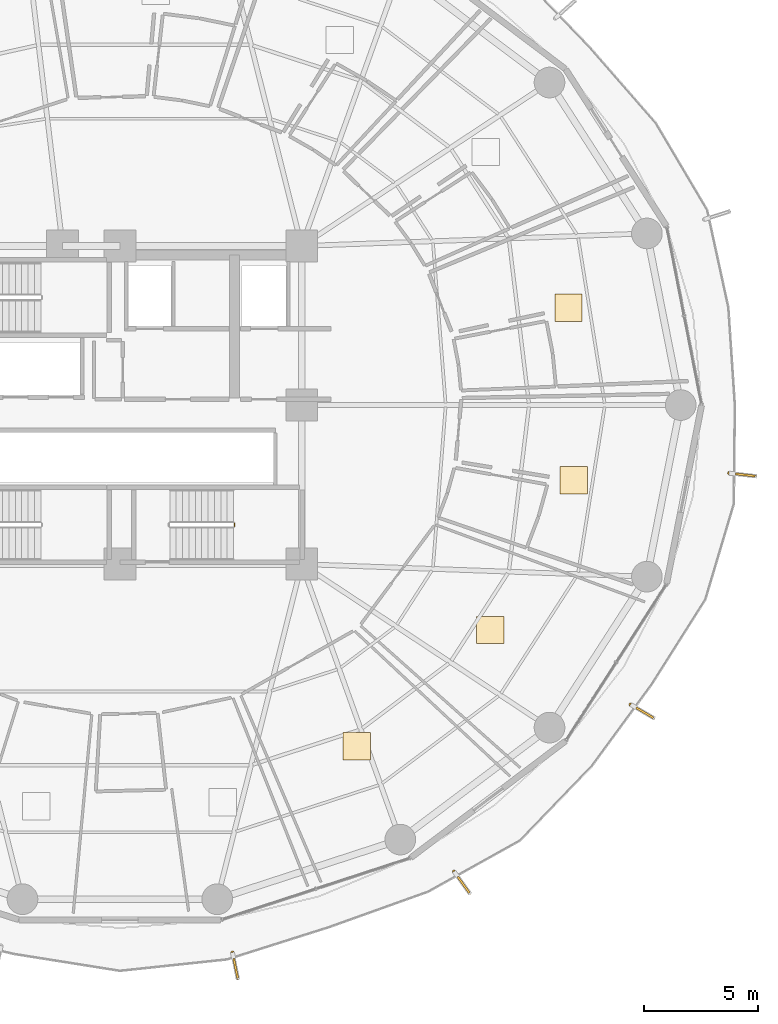
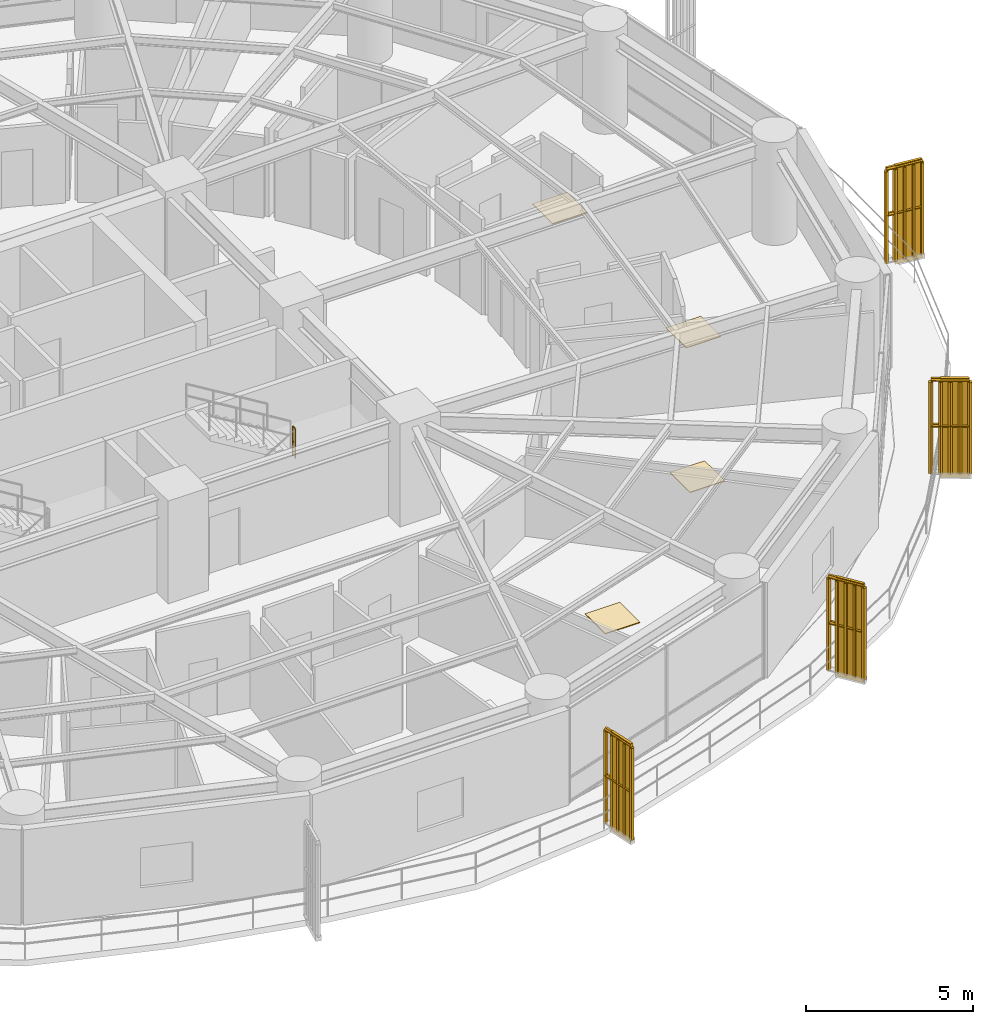
# One storey, part 34 of 35: 5 railings, 4 coverings, 4 shading devices.
"""IFC4 building model written with IfcOpenShell, lengths in metres."""

from ifc_helpers import new_model, si_unit, direction, frame, origin, origin_2d, place, context, subcontext, project, spatial, polyline, rectangle, outline, extrude, source, transform, mapped, material, layer, layer_set, type_object, element, save


model = new_model("IFC4")

# Units and contexts
model_context = context("Model", 3, precision=1e-05, world=origin(), true_north=direction((0.0, 1.0)))
body_context = subcontext(model_context, "Body", "Model", "MODEL_VIEW")
ifc_project = project(units=[si_unit("LENGTHUNIT", "METRE"), si_unit("AREAUNIT", "SQUARE_METRE"), si_unit("VOLUMEUNIT", "CUBIC_METRE"), si_unit("PLANEANGLEUNIT", "RADIAN"), si_unit("MASSUNIT", "GRAM", prefix="KILO")], contexts=[model_context])

# Site, building, storey
site_placement = place(None, origin())
site = spatial("IfcSite", under=ifc_project, at=site_placement, CompositionType="ELEMENT")
building_placement = place(site_placement, origin())
building = spatial("IfcBuilding", under=site, at=building_placement, Name="Kelanora Arch Commons", CompositionType="ELEMENT")
storey_placement = place(building_placement, frame((0.0, 0.0, 95.10009765625)))
storey = spatial("IfcBuildingStorey", under=building, at=storey_placement, Name="L24", CompositionType="ELEMENT", Elevation=95.10009765625)

# Railings
ifc_material_1 = material(Name="Anodised bronze vertical shading fin rib assembly")
railing_type_1 = type_object("IfcRailingType", Name="RAIL-FIN-BRZ", PredefinedType="BALUSTRADE", material=ifc_material_1)
railing_1_placement = place(storey_placement, frame((78.952880859375, 33.914306640625, -0.02001953125)))
element("IfcRailing", 1, at=railing_1_placement, inside=storey, type_object=railing_type_1, Name="Sweeping Bronze Vertical Fin Blade L24-10", PredefinedType="BALUSTRADE", context=body_context, shape_type="SweptSolid", body=[
    extrude(outline(polyline([(0.06982421875, 0.0), (0.034912109375, 0.060546875), (-0.034912109375, 0.060546875), (-0.06982421875, 0.0), (-0.034912109375, -0.060546875), (0.034912109375, -0.060546875), (0.06982421875, 0.0)])), frame((0.0, 0.0, 3.419921875), z_axis=(0.201492685914, -0.979490019103, 0.0), x_axis=(0.979490019103, 0.201492685914, 0.0)), (0.0, 0.0, 1.0), 1.160888671875),
    extrude(outline(polyline([(0.06982421875, 0.0), (0.034912109375, 0.060546875), (-0.034912109375, 0.060546875), (-0.06982421875, 0.0), (-0.034912109375, -0.060546875), (0.034912109375, -0.060546875), (0.06982421875, 0.0)])), frame((0.0, 0.0, 1.7451171875), z_axis=(0.201492685914, -0.979490019103, 0.0), x_axis=(0.979490019103, 0.201492685914, 0.0)), (0.0, 0.0, 1.0), 1.160888671875),
    extrude(outline(polyline([(0.080078125, 0.0), (0.0400390625, 0.0693359375), (-0.0400390625, 0.0693359375), (-0.080078125, 0.0), (-0.0400390625, -0.0693359375), (0.0400390625, -0.0693359375), (0.080078125, 0.0)])), origin(), (0.0, 0.0, 1.0), 3.35009765625),
    extrude(outline(polyline([(0.080078125, 0.0), (0.0400390625, 0.0693359375), (-0.0400390625, 0.0693359375), (-0.080078125, 0.0), (-0.0400390625, -0.0693359375), (0.0400390625, -0.0693359375), (0.080078125, 0.0)])), frame((0.05859375, -0.2841796875, 0.0)), (0.0, 0.0, 1.0), 3.35009765625),
    extrude(outline(polyline([(0.080078125, 0.0), (0.0400390625, 0.0693359375), (-0.0400390625, 0.0693359375), (-0.080078125, 0.0), (-0.0400390625, -0.0693359375), (0.0400390625, -0.0693359375), (0.080078125, 0.0)])), frame((0.116943359375, -0.568359375, 0.0)), (0.0, 0.0, 1.0), 3.35009765625),
    extrude(outline(polyline([(0.080078125, 0.0), (0.0400390625, 0.0693359375), (-0.0400390625, 0.0693359375), (-0.080078125, 0.0), (-0.0400390625, -0.0693359375), (0.0400390625, -0.0693359375), (0.080078125, 0.0)])), frame((0.17529296875, -0.852783203125, 0.0)), (0.0, 0.0, 1.0), 3.35009765625),
    extrude(outline(polyline([(0.080078125, 0.0), (0.0400390625, 0.0693359375), (-0.0400390625, 0.0693359375), (-0.080078125, 0.0), (-0.0400390625, -0.0693359375), (0.0400390625, -0.0693359375), (0.080078125, 0.0)])), frame((0.23388671875, -1.136962890625, 0.0)), (0.0, 0.0, 1.0), 3.35009765625),
])
railing_2_placement = place(storey_placement, frame((88.7041015625, 37.4765625, -0.02001953125)))
element("IfcRailing", 2, at=railing_2_placement, inside=storey, type_object=railing_type_1, Name="Sweeping Bronze Vertical Fin Blade L24-11", PredefinedType="BALUSTRADE", context=body_context, shape_type="SweptSolid", body=[
    extrude(outline(polyline([(0.06982421875, 0.0), (0.034912109375, 0.060546875), (-0.034912109375, 0.060546875), (-0.06982421875, 0.0), (-0.034912109375, -0.060546875), (0.034912109375, -0.060546875), (0.06982421875, 0.0)])), frame((0.0, 0.0, 3.419921875), z_axis=(0.582530519631, -0.812808829737, 0.0), x_axis=(0.812808829737, 0.582530519631, 0.0)), (0.0, 0.0, 1.0), 1.160888671875),
    extrude(outline(polyline([(0.06982421875, 0.0), (0.034912109375, 0.060546875), (-0.034912109375, 0.060546875), (-0.06982421875, 0.0), (-0.034912109375, -0.060546875), (0.034912109375, -0.060546875), (0.06982421875, 0.0)])), frame((0.0, 0.0, 1.7451171875), z_axis=(0.582530519631, -0.812808829737, 0.0), x_axis=(0.812808829737, 0.582530519631, 0.0)), (0.0, 0.0, 1.0), 1.160888671875),
    extrude(outline(polyline([(0.080078125, 0.0), (0.0400390625, 0.0693359375), (-0.0400390625, 0.0693359375), (-0.080078125, 0.0), (-0.0400390625, -0.0693359375), (0.0400390625, -0.0693359375), (0.080078125, 0.0)])), origin(), (0.0, 0.0, 1.0), 3.35009765625),
    extrude(outline(polyline([(0.080078125, 0.0), (0.0400390625, 0.0693359375), (-0.0400390625, 0.0693359375), (-0.080078125, 0.0), (-0.0400390625, -0.0693359375), (0.0400390625, -0.0693359375), (0.080078125, 0.0)])), frame((0.1689453125, -0.23583984375, 0.0)), (0.0, 0.0, 1.0), 3.35009765625),
    extrude(outline(polyline([(0.080078125, 0.0), (0.0400390625, 0.0693359375), (-0.0400390625, 0.0693359375), (-0.080078125, 0.0), (-0.0400390625, -0.0693359375), (0.0400390625, -0.0693359375), (0.080078125, 0.0)])), frame((0.338134765625, -0.4716796875, 0.0)), (0.0, 0.0, 1.0), 3.35009765625),
    extrude(outline(polyline([(0.080078125, 0.0), (0.0400390625, 0.0693359375), (-0.0400390625, 0.0693359375), (-0.080078125, 0.0), (-0.0400390625, -0.0693359375), (0.0400390625, -0.0693359375), (0.080078125, 0.0)])), frame((0.50732421875, -0.707763671875, 0.0)), (0.0, 0.0, 1.0), 3.35009765625),
    extrude(outline(polyline([(0.080078125, 0.0), (0.0400390625, 0.0693359375), (-0.0400390625, 0.0693359375), (-0.080078125, 0.0), (-0.0400390625, -0.0693359375), (0.0400390625, -0.0693359375), (0.080078125, 0.0)])), frame((0.67626953125, -0.943603515625, 0.0)), (0.0, 0.0, 1.0), 3.35009765625),
])
railing_3_placement = place(storey_placement, frame((96.47509765625, 44.824462890625, -0.02001953125)))
element("IfcRailing", 3, at=railing_3_placement, inside=storey, type_object=railing_type_1, Name="Sweeping Bronze Vertical Fin Blade L24-12", PredefinedType="BALUSTRADE", context=body_context, shape_type="SweptSolid", body=[
    extrude(outline(polyline([(0.06982421875, 0.0), (0.034912109375, 0.060546875), (-0.034912109375, 0.060546875), (-0.06982421875, 0.0), (-0.034912109375, -0.060546875), (0.034912109375, -0.060546875), (0.06982421875, 0.0)])), frame((0.0, 0.0, 3.419921875), z_axis=(0.86266316569, -0.505778867256, 0.0), x_axis=(0.505778867256, 0.86266316569, 0.0)), (0.0, 0.0, 1.0), 1.160888671875),
    extrude(outline(polyline([(0.06982421875, 0.0), (0.034912109375, 0.060546875), (-0.034912109375, 0.060546875), (-0.06982421875, 0.0), (-0.034912109375, -0.060546875), (0.034912109375, -0.060546875), (0.06982421875, 0.0)])), frame((0.0, 0.0, 1.7451171875), z_axis=(0.86266316569, -0.505778867256, 0.0), x_axis=(0.505778867256, 0.86266316569, 0.0)), (0.0, 0.0, 1.0), 1.160888671875),
    extrude(outline(polyline([(0.080078125, 0.0), (0.0400390625, 0.0693359375), (-0.0400390625, 0.0693359375), (-0.080078125, 0.0), (-0.0400390625, -0.0693359375), (0.0400390625, -0.0693359375), (0.080078125, 0.0)])), origin(), (0.0, 0.0, 1.0), 3.35009765625),
    extrude(outline(polyline([(0.080078125, 0.0), (0.0400390625, 0.0693359375), (-0.0400390625, 0.0693359375), (-0.080078125, 0.0), (-0.0400390625, -0.0693359375), (0.0400390625, -0.0693359375), (0.080078125, 0.0)])), frame((0.25048828125, -0.146728515625, 0.0)), (0.0, 0.0, 1.0), 3.35009765625),
    extrude(outline(polyline([(0.080078125, 0.0), (0.0400390625, 0.0693359375), (-0.0400390625, 0.0693359375), (-0.080078125, 0.0), (-0.0400390625, -0.0693359375), (0.0400390625, -0.0693359375), (0.080078125, 0.0)])), frame((0.500732421875, -0.29345703125, 0.0)), (0.0, 0.0, 1.0), 3.35009765625),
    extrude(outline(polyline([(0.080078125, 0.0), (0.0400390625, 0.0693359375), (-0.0400390625, 0.0693359375), (-0.080078125, 0.0), (-0.0400390625, -0.0693359375), (0.0400390625, -0.0693359375), (0.080078125, 0.0)])), frame((0.7509765625, -0.4404296875, 0.0)), (0.0, 0.0, 1.0), 3.35009765625),
    extrude(outline(polyline([(0.080078125, 0.0), (0.0400390625, 0.0693359375), (-0.0400390625, 0.0693359375), (-0.080078125, 0.0), (-0.0400390625, -0.0693359375), (0.0400390625, -0.0693359375), (0.080078125, 0.0)])), frame((1.00146484375, -0.587158203125, 0.0)), (0.0, 0.0, 1.0), 3.35009765625),
])
railing_4_placement = place(storey_placement, frame((100.806884765625, 55.002685546875, -0.02001953125)))
element("IfcRailing", 4, at=railing_4_placement, inside=storey, type_object=railing_type_1, Name="Sweeping Bronze Vertical Fin Blade L24-13", PredefinedType="BALUSTRADE", context=body_context, shape_type="SweptSolid", body=[
    extrude(outline(polyline([(0.06982421875, 0.0), (0.034912109375, 0.060546875), (-0.034912109375, 0.060546875), (-0.06982421875, 0.0), (-0.034912109375, -0.060546875), (0.034912109375, -0.060546875), (0.06982421875, 0.0)])), frame((0.0, 0.0, 3.419921875), z_axis=(0.993793651807, -0.111239280958, 0.0), x_axis=(0.111239280958, 0.993793651807, 0.0)), (0.0, 0.0, 1.0), 1.1611328125),
    extrude(outline(polyline([(0.06982421875, 0.0), (0.034912109375, 0.060546875), (-0.034912109375, 0.060546875), (-0.06982421875, 0.0), (-0.034912109375, -0.060546875), (0.034912109375, -0.060546875), (0.06982421875, 0.0)])), frame((0.0, 0.0, 1.7451171875), z_axis=(0.993793651807, -0.111239280958, 0.0), x_axis=(0.111239280958, 0.993793651807, 0.0)), (0.0, 0.0, 1.0), 1.1611328125),
    extrude(outline(polyline([(0.080078125, 0.0), (0.0400390625, 0.0693359375), (-0.0400390625, 0.0693359375), (-0.080078125, 0.0), (-0.0400390625, -0.0693359375), (0.0400390625, -0.0693359375), (0.080078125, 0.0)])), origin(), (0.0, 0.0, 1.0), 3.35009765625),
    extrude(outline(polyline([(0.080078125, 0.0), (0.0400390625, 0.0693359375), (-0.0400390625, 0.0693359375), (-0.080078125, 0.0), (-0.0400390625, -0.0693359375), (0.0400390625, -0.0693359375), (0.080078125, 0.0)])), frame((0.28857421875, -0.0322265625, 0.0)), (0.0, 0.0, 1.0), 3.35009765625),
    extrude(outline(polyline([(0.080078125, 0.0), (0.0400390625, 0.0693359375), (-0.0400390625, 0.0693359375), (-0.080078125, 0.0), (-0.0400390625, -0.0693359375), (0.0400390625, -0.0693359375), (0.080078125, 0.0)])), frame((0.576904296875, -0.064453125, 0.0)), (0.0, 0.0, 1.0), 3.35009765625),
    extrude(outline(polyline([(0.080078125, 0.0), (0.0400390625, 0.0693359375), (-0.0400390625, 0.0693359375), (-0.080078125, 0.0), (-0.0400390625, -0.0693359375), (0.0400390625, -0.0693359375), (0.080078125, 0.0)])), frame((0.865234375, -0.096923828125, 0.0)), (0.0, 0.0, 1.0), 3.35009765625),
    extrude(outline(polyline([(0.080078125, 0.0), (0.0400390625, 0.0693359375), (-0.0400390625, 0.0693359375), (-0.080078125, 0.0), (-0.0400390625, -0.0693359375), (0.0400390625, -0.0693359375), (0.080078125, 0.0)])), frame((1.15380859375, -0.129150390625, 0.0)), (0.0, 0.0, 1.0), 3.35009765625),
])
ifc_material_2 = material(Name="Painted steel stair well guard", Category="steel")
railing_type_2 = type_object("IfcRailingType", Name="RAIL-STAIR-GRD", PredefinedType="GUARDRAIL", material=ifc_material_2)
railing_5_placement = place(storey_placement, frame((79.050048828125, 52.659912109375, 1.875)))
element("IfcRailing", 5, at=railing_5_placement, inside=storey, type_object=railing_type_2, Name="L24 ST-T2 stair guard 2", PredefinedType="GUARDRAIL", context=body_context, shape_type="SweptSolid", body=[
    extrude(outline(polyline([(0.02392578125, 0.0), (0.011962890625, 0.020751953125), (-0.011962890625, 0.020751953125), (-0.02392578125, 0.0), (-0.011962890625, -0.020751953125), (0.011962890625, -0.020751953125), (0.02392578125, 0.0)])), frame((0.0, 0.0, 1.076171875), z_axis=(0.0, 1.0, 0.0), x_axis=(-1.0, 0.0, 0.0)), (0.0, 0.0, 1.0), 0.150146484375),
    extrude(outline(polyline([(0.02392578125, 0.0), (0.011962890625, 0.020751953125), (-0.011962890625, 0.020751953125), (-0.02392578125, 0.0), (-0.011962890625, -0.020751953125), (0.011962890625, -0.020751953125), (0.02392578125, 0.0)])), frame((0.0, 0.0, 0.550048828125), z_axis=(0.0, 1.0, 0.0), x_axis=(-1.0, 0.0, 0.0)), (0.0, 0.0, 1.0), 0.150146484375),
    extrude(outline(polyline([(0.02099609375, 0.0), (0.010498046875, 0.01806640625), (-0.010498046875, 0.01806640625), (-0.02099609375, 0.0), (-0.010498046875, -0.01806640625), (0.010498046875, -0.01806640625), (0.02099609375, 0.0)])), origin(), (0.0, 0.0, 1.0), 1.052001953125),
    extrude(outline(polyline([(0.02099609375, 0.0), (0.010498046875, 0.01806640625), (-0.010498046875, 0.01806640625), (-0.02099609375, 0.0), (-0.010498046875, -0.01806640625), (0.010498046875, -0.01806640625), (0.02099609375, 0.0)])), frame((0.0, 0.150146484375, 0.0)), (0.0, 0.0, 1.0), 1.052001953125),
])

# Shading devices
ifc_material_3 = material(Name="Terracotta ceramic-clad extruded aluminium fin", Category="masonry")
shading_device_type = type_object("IfcShadingDeviceType", Name="SHD-FIN-FLARE", PredefinedType="USERDEFINED", material=ifc_material_3)
shared_shape_1 = source(origin(), body_context, "Body", "SweptSolid", [
    extrude(rectangle(XDim=0.8798828125, YDim=0.090087890625, at=origin_2d()), origin(), (0.0, 0.0, 1.0), 3.610107421875),
])
for number, where, z_axis, x_axis, name in (
    (6, (79.097900390625, 33.208984375, -0.14013671875), (0.0, 0.0, 1.0), (0.201419845156, -0.979505000486, 0.0), "Sweeping Terracotta Fin L24-10"),
    (7, (89.12353515625, 36.891357421875, -0.14013671875), (0.0, 0.0, 1.0), (0.582406760395, -0.812897512265, 0.0), "Sweeping Terracotta Fin L24-11"),
    (8, (97.096435546875, 44.460205078125, -0.14013671875), (0.0, 0.0, 1.0), (0.862690255763, -0.505732659231, 0.0), "Sweeping Terracotta Fin L24-12"),
    (9, (101.522705078125, 54.922607421875, -0.14013671875), (0.0, 0.0, 1.0), (0.993806768614, -0.111122034978, 0.0), "Sweeping Terracotta Fin L24-13"),
):
    element("IfcShadingDevice", number, at=place(storey_placement, frame(where, z_axis=z_axis, x_axis=x_axis)), inside=storey, type_object=shading_device_type, Name=name, ObjectType="FIN", PredefinedType="USERDEFINED", context=body_context, shape_type="MappedRepresentation", body=[
        mapped(shared_shape_1, transform((0.0, 0.0, 0.0), scale=1.0)),
    ])

# Coverings
ifc_material_4 = material(Name="Polished local granite terrazzo flooring", Category="masonry")
ifc_layer = layer(ifc_material_4, 0.030029296875)
ifc_layer_set = layer_set([ifc_layer], Name="Polished local granite terrazzo flooring")
covering_type = type_object("IfcCoveringType", Name="COV-FLR-TER", PredefinedType="FLOORING", material=ifc_layer_set)
shared_shape_2 = source(origin(), body_context, "Body", "SweptSolid", [
    extrude(rectangle(XDim=1.199951171875, YDim=1.199951171875, at=origin_2d()), origin(), (0.0, 0.0, 1.0), 0.030029296875),
])
for number, where, z_axis, x_axis, name in (
    (10, (84.42138671875, 42.9853515625, 0.0), (0.0, 0.0, 1.0), (1.0, 0.0, 0.0), "Quiet Seminar Study Room L24-12 Terrazzo Finish"),
    (11, (90.303955078125, 48.099609375, 0.0), (0.0, 0.0, 1.0), (1.0, 0.0, 0.0), "Quiet Seminar Study Room L24-13 Terrazzo Finish"),
    (12, (93.97265625, 54.685791015625, 0.0), (0.0, 0.0, 1.0), (1.0, 0.0, 0.0), "Co-Living Studio L24-14 Terrazzo Finish"),
    (13, (93.744873046875, 62.281982421875, 0.0), (0.0, 0.0, 1.0), (1.0, 0.0, 0.0), "Co-Living Studio L24-15 Terrazzo Finish"),
):
    element("IfcCovering", number, at=place(storey_placement, frame(where, z_axis=z_axis, x_axis=x_axis)), inside=storey, type_object=covering_type, Name=name, PredefinedType="FLOORING", context=body_context, shape_type="MappedRepresentation", body=[
        mapped(shared_shape_2, transform((0.0, 0.0, 0.0), scale=1.0)),
    ])

save(model, "model.ifc")
